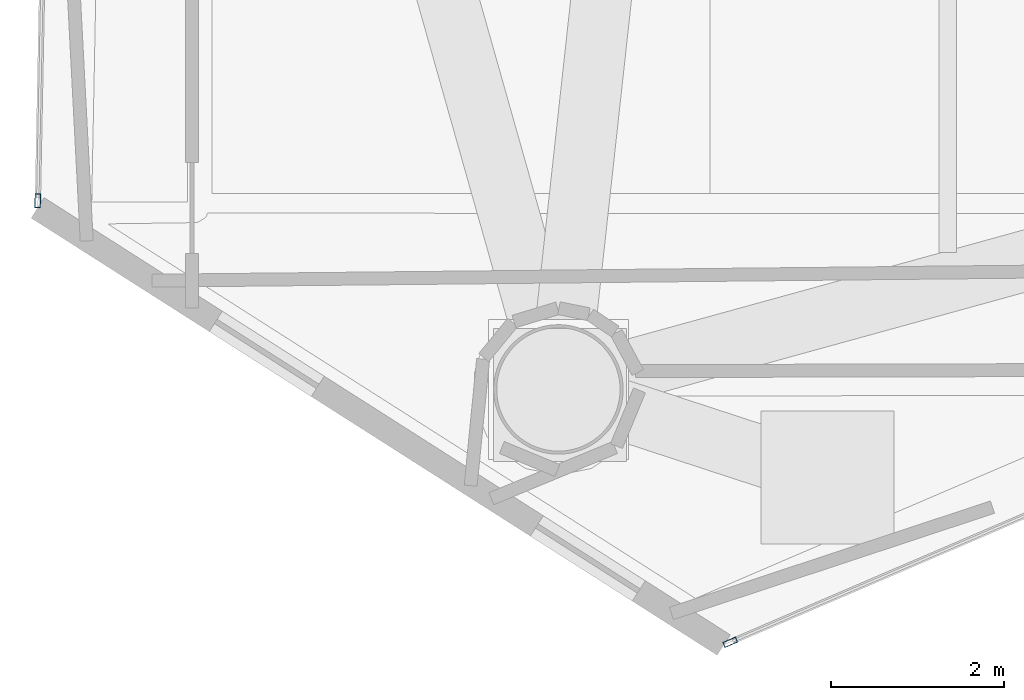
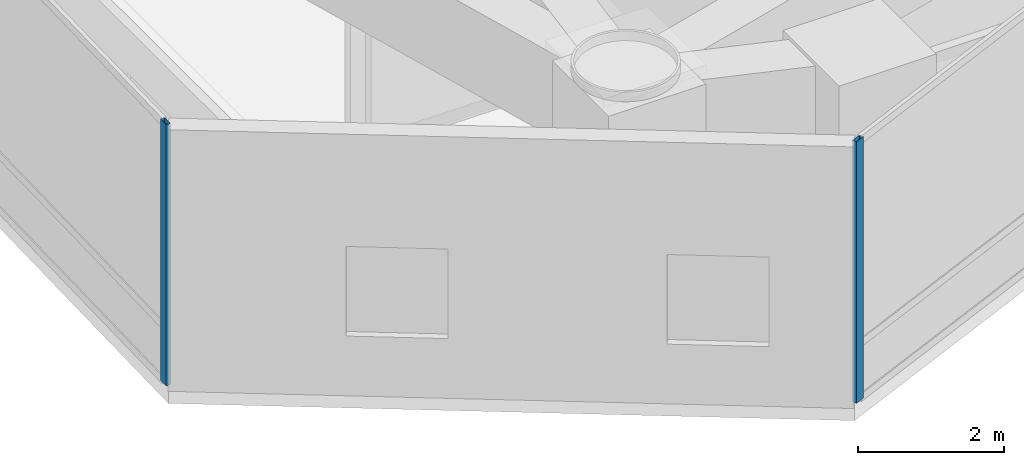
# One storey, part 2 of 22: 2 members, 2 elements without a shape of their own.
"""IFC4 building model written with IfcOpenShell, lengths in metres."""

import ifcopenshell
import ifcopenshell.guid

model = None  # the IFC model being written
_history = None  # IfcOwnerHistory: only IFC2X3 demands one
_inside = {}  # id of a spatial element -> (the spatial element, [elements in it])
_under = {}  # id of a project, library or spatial element -> (it, [spatial elements below it])
_declared = {}  # id of a project -> (the project, [libraries it declares])
_typed = {}  # id of a type object -> (the type object, [elements of that type])
_made_of = {}  # id of a material, layer set ... -> (it, [elements and type objects made of it])


def new_model(schema):
    """Start an empty IFC model of exactly this schema.

    Asked for "IFC4X3", IfcOpenShell would pick the latest addendum, in which some entities
    have other attributes; the version numbers below select the first issue.
    IFC2X3 requires an IfcOwnerHistory on every rooted entity: one is made here for all.
    """
    global model, _history
    if schema == "IFC4X3":
        model = ifcopenshell.file(schema_version=(4, 3, 0, 0))
    else:
        model = ifcopenshell.file(schema=schema)
    _inside.clear()
    _under.clear()
    _declared.clear()
    _typed.clear()
    _made_of.clear()
    _history = None
    if model.schema == "IFC2X3":
        org = make("IfcOrganization", Name="unknown")
        user = make(
            "IfcPersonAndOrganization",
            ThePerson=make("IfcPerson", FamilyName="unknown"),
            TheOrganization=org,
        )
        app = make(
            "IfcApplication",
            ApplicationDeveloper=org,
            Version="unknown",
            ApplicationFullName="unknown",
            ApplicationIdentifier="unknown",
        )
        _history = make(
            "IfcOwnerHistory",
            OwningUser=user,
            OwningApplication=app,
            ChangeAction="ADDED",
            CreationDate=0,
        )
    return model


def make(cls, **values):
    """One entity of the class cls with the attributes given. An attribute that is None is left unset."""
    return model.create_entity(
        cls, **{name: value for name, value in values.items() if value is not None}
    )


def rooted(cls, **values):
    """An entity with a GlobalId (a new one), such as an element, a storey or a relation."""
    return make(cls, GlobalId=ifcopenshell.guid.new(), OwnerHistory=_history, **values)


def si_unit(unit_type, name, prefix=None):
    """IfcSIUnit, for example si_unit("LENGTHUNIT", "METRE", prefix="MILLI")."""
    return make("IfcSIUnit", UnitType=unit_type, Prefix=prefix, Name=name)


def assignment(units):
    """IfcUnitAssignment: the units of a project."""
    return None if units is None else make("IfcUnitAssignment", Units=units)


def point(xyz):
    """IfcCartesianPoint."""
    return None if xyz is None else make("IfcCartesianPoint", Coordinates=xyz)


def direction(xyz):
    """IfcDirection."""
    return None if xyz is None else make("IfcDirection", DirectionRatios=xyz)


def frame(location, z_axis=None, x_axis=None):
    """IfcAxis2Placement3D, a coordinate frame: its origin and axes. An axis left out is left unset."""
    return make(
        "IfcAxis2Placement3D",
        Location=point(location),
        Axis=direction(z_axis),
        RefDirection=direction(x_axis),
    )


def frame_2d(location, x_axis=None):
    """IfcAxis2Placement2D, a coordinate frame in the plane: its origin and x axis."""
    return make(
        "IfcAxis2Placement2D", Location=point(location), RefDirection=direction(x_axis)
    )


def origin():
    """The frame at (0, 0, 0) with its axes left unset."""
    return frame((0.0, 0.0, 0.0))


def origin_2d():
    """The frame at (0, 0) in the plane with its x axis left unset."""
    return frame_2d((0.0, 0.0))


def place(relative_to, where):
    """IfcLocalPlacement: puts the frame where relative to a parent placement (None: the world)."""
    return make(
        "IfcLocalPlacement", PlacementRelTo=relative_to, RelativePlacement=where
    )


def context(
    kind, dimensions, precision=None, world=None, true_north=None, identifier=None
):
    """IfcGeometricRepresentationContext, for example the 3D "Model" context."""
    return make(
        "IfcGeometricRepresentationContext",
        ContextIdentifier=identifier,
        ContextType=kind,
        CoordinateSpaceDimension=dimensions,
        Precision=precision,
        WorldCoordinateSystem=world,
        TrueNorth=true_north,
    )


def subcontext(parent, identifier, kind, view, scale=None):
    """IfcGeometricRepresentationSubContext, for example "Body" below "Model"."""
    return make(
        "IfcGeometricRepresentationSubContext",
        ContextIdentifier=identifier,
        ContextType=kind,
        ParentContext=parent,
        TargetScale=scale,
        TargetView=view,
    )


def project(units=None, contexts=None):
    """IfcProject with its units and contexts."""
    return rooted(
        "IfcProject",
        Name="project",
        RepresentationContexts=contexts,
        UnitsInContext=assignment(units),
    )


def spatial(cls, under=None, at=None, **own):
    """A site, building, storey or space (cls), placed at a placement, below another one or the project."""
    s = rooted(cls, ObjectPlacement=at, **own)
    if under is not None:
        _under.setdefault(under.id(), (under, []))[1].append(s)
    return s


def profile(cls, at=None, kind="AREA", **sizes):
    """A parametric profile (cls). Its sizes go by their IFC names, for example OverallWidth=200.0."""
    return make(cls, ProfileType=kind, Position=at, **sizes)


def hollow_rectangle(**sizes):
    """IfcRectangleHollowProfileDef."""
    return profile("IfcRectangleHollowProfileDef", **sizes)


def extrude(swept, where, along, depth):
    """IfcExtrudedAreaSolid: the profile swept, set in the frame where, extruded along a direction by depth."""
    return make(
        "IfcExtrudedAreaSolid",
        SweptArea=swept,
        Position=where,
        ExtrudedDirection=direction(along),
        Depth=depth,
    )


def shape(context_of_items, identifier, shape_type, items):
    """IfcShapeRepresentation: the items that make up one representation, for example the "Body"."""
    return make(
        "IfcShapeRepresentation",
        ContextOfItems=context_of_items,
        RepresentationIdentifier=identifier,
        RepresentationType=shape_type,
        Items=items,
    )


def material(Name=None, Category=None):
    """IfcMaterial."""
    return make("IfcMaterial", Name=Name, Category=Category)


def layer(
    of_material, thickness, ventilated=None, Name=None, Category=None, Priority=None
):
    """IfcMaterialLayer: one layer of a wall or slab, of a material (None: an air gap)."""
    return make(
        "IfcMaterialLayer",
        Material=of_material,
        LayerThickness=thickness,
        IsVentilated=ventilated,
        Name=Name,
        Category=Category,
        Priority=Priority,
    )


def layer_set(layers, Name=None):
    """IfcMaterialLayerSet."""
    return make("IfcMaterialLayerSet", MaterialLayers=layers, LayerSetName=Name)


def material_profile(
    of_material, cross_section, Name=None, Category=None, Priority=None
):
    """IfcMaterialProfile: a cross section and its material."""
    return make(
        "IfcMaterialProfile",
        Name=Name,
        Material=of_material,
        Profile=cross_section,
        Priority=Priority,
        Category=Category,
    )


def profile_set(profiles, Name=None, composite=None):
    """IfcMaterialProfileSet."""
    return make(
        "IfcMaterialProfileSet",
        Name=Name,
        MaterialProfiles=profiles,
        CompositeProfile=composite,
    )


def made_of(thing, what):
    """Note that an element or type object is made of a material, layer set ...; save() writes the relation."""
    if what is not None:
        _made_of.setdefault(what.id(), (what, []))[1].append(thing)
    return thing


def type_object(cls, material=None, **own):
    """A type object (cls), such as IfcWallType, which elements share."""
    return made_of(rooted(cls, **own), material)


def element(
    cls,
    number,
    at=None,
    inside=None,
    cuts=None,
    type_object=None,
    material=None,
    context=None,
    identifier="Body",
    shape_type=None,
    held_by="IfcProductDefinitionShape",
    body=None,
    shapes=None,
    **own,
):
    """One element of the class cls, such as IfcWall. Its Tag is "e" and its number.

    at: its placement. inside: the storey or other place that contains it. cuts: it is an
    opening in that element (IfcRelVoidsElement). A single representation is given by context,
    identifier, shape_type and body (its items); several are given by shapes. held_by: the class
    of the entity that holds the representations. save() writes the other relations.
    """
    e = rooted(cls, Tag="e%d" % number, ObjectPlacement=at, **own)
    if body is not None:
        shapes = [shape(context, identifier, shape_type, body)]
    if shapes is not None:
        e.Representation = make(held_by, Representations=shapes)
    if inside is not None:
        _inside.setdefault(inside.id(), (inside, []))[1].append(e)
    if cuts is not None:
        rooted(
            "IfcRelVoidsElement", RelatingBuildingElement=cuts, RelatedOpeningElement=e
        )
    if type_object is not None:
        _typed.setdefault(type_object.id(), (type_object, []))[1].append(e)
    return made_of(e, material)


def aggregate(whole, parts):
    """IfcRelAggregates: a whole, such as a stair, and the parts it consists of."""
    return rooted("IfcRelAggregates", RelatingObject=whole, RelatedObjects=parts)


def save(model, path):
    """Write the relations noted so far, then the file.

    IfcRelAggregates (storeys below a building ...), IfcRelContainedInSpatialStructure (elements
    in a storey), IfcRelDefinesByType, IfcRelAssociatesMaterial and IfcRelDeclares: one each for
    every whole, place, type object, material and project.
    """
    for whole, parts in _under.values():
        aggregate(whole, parts)
    for where, things in _inside.values():
        rooted(
            "IfcRelContainedInSpatialStructure",
            RelatedElements=things,
            RelatingStructure=where,
        )
    for kind, things in _typed.values():
        rooted("IfcRelDefinesByType", RelatedObjects=things, RelatingType=kind)
    for what, things in _made_of.values():
        rooted("IfcRelAssociatesMaterial", RelatedObjects=things, RelatingMaterial=what)
    for by, libraries in _declared.values():
        rooted("IfcRelDeclares", RelatingContext=by, RelatedDefinitions=libraries)
    model.write(path)


model = new_model("IFC4")

# Units and contexts
model_context = context("Model", 3, precision=1e-05, world=origin(), true_north=direction((0.0, 1.0)))
body_context = subcontext(model_context, "Body", "Model", "MODEL_VIEW")
ifc_project = project(units=[si_unit("LENGTHUNIT", "METRE"), si_unit("AREAUNIT", "SQUARE_METRE"), si_unit("VOLUMEUNIT", "CUBIC_METRE"), si_unit("PLANEANGLEUNIT", "RADIAN"), si_unit("MASSUNIT", "GRAM", prefix="KILO")], contexts=[model_context])

# Site, building, storey
site_placement = place(None, origin())
site = spatial("IfcSite", under=ifc_project, at=site_placement, CompositionType="ELEMENT")
building_placement = place(site_placement, origin())
building = spatial("IfcBuilding", under=site, at=building_placement, Name="Qianvela Tower", CompositionType="ELEMENT")
storey_placement = place(building_placement, frame((0.0, 0.0, 138.5)))
storey = spatial("IfcBuildingStorey", under=building, at=storey_placement, Name="L35", CompositionType="ELEMENT", Elevation=138.5)

# Curtain wall, member
ifc_material_1 = material(Name="Anodised Architectural Aluminium and Low-E Glass", Category="aluminium")
ifc_layer = layer(ifc_material_1, 0.169921875)
ifc_layer_set = layer_set([ifc_layer], Name="Anodised Architectural Aluminium and Low-E Glass")
curtain_wall_type = type_object("IfcCurtainWallType", Name="CW-COLIV-Z34", PredefinedType="USERDEFINED", material=ifc_layer_set)
curtain_wall_1_placement = place(storey_placement, origin())
curtain_wall_1 = element("IfcCurtainWall", 1, at=curtain_wall_1_placement, inside=storey, type_object=curtain_wall_type, Name="L35 CW-COLIV-Z34 Curtain Wall 04C", ObjectType="CURTAIN_WALL_SYSTEM", PredefinedType="USERDEFINED")
ifc_material_2 = material(Name="Anodised Architectural Aluminium 6063-T6", Category="aluminium")
ifc_material_profile = material_profile(ifc_material_2, hollow_rectangle(XDim=0.06494140625, YDim=0.159912109375, WallThickness=0.0048828125, at=origin_2d()), Name="ALU-MULL-65x160")
ifc_profile_set = profile_set([ifc_material_profile], Name="Anodised Architectural Aluminium 6063-T6")
member_type = type_object("IfcMemberType", Name="CW-COLIV-Z34-MULL", PredefinedType="MULLION", material=ifc_profile_set)
member_1_placement = place(storey_placement, frame((21.263916015625, 14.093505859375, 0.0), z_axis=(0.0, 0.0, 1.0), x_axis=(0.999809021211, -0.019542801881, 0.0)))
member_1 = element("IfcMember", 2, at=member_1_placement, type_object=member_type, Name="CW-4 mullion 2", PredefinedType="MULLION", context=body_context, shape_type="SweptSolid", body=[
    extrude(hollow_rectangle(XDim=0.06494140625, YDim=0.159912109375, WallThickness=0.0048828125, at=origin_2d()), origin(), (0.0, 0.0, 1.0), 4.3798828125),
])
aggregate(curtain_wall_1, [member_1])

curtain_wall_2_placement = place(storey_placement, origin())
curtain_wall_2 = element("IfcCurtainWall", 3, at=curtain_wall_2_placement, inside=storey, type_object=curtain_wall_type, Name="L35 CW-COLIV-Z34 Curtain Wall 06A", ObjectType="CURTAIN_WALL_SYSTEM", PredefinedType="USERDEFINED")
member_2_placement = place(storey_placement, frame((29.28125, 8.98193359375, 0.0), z_axis=(0.0, 0.0, 1.0), x_axis=(-0.394474556403, 0.918906863806, 0.0)))
member_2 = element("IfcMember", 4, at=member_2_placement, type_object=member_type, Name="CW-4 mullion 1", PredefinedType="MULLION", context=body_context, shape_type="SweptSolid", body=[
    extrude(hollow_rectangle(XDim=0.06494140625, YDim=0.159912109375, WallThickness=0.0048828125, at=origin_2d()), origin(), (0.0, 0.0, 1.0), 4.3798828125),
])
aggregate(curtain_wall_2, [member_2])

save(model, "model.ifc")
